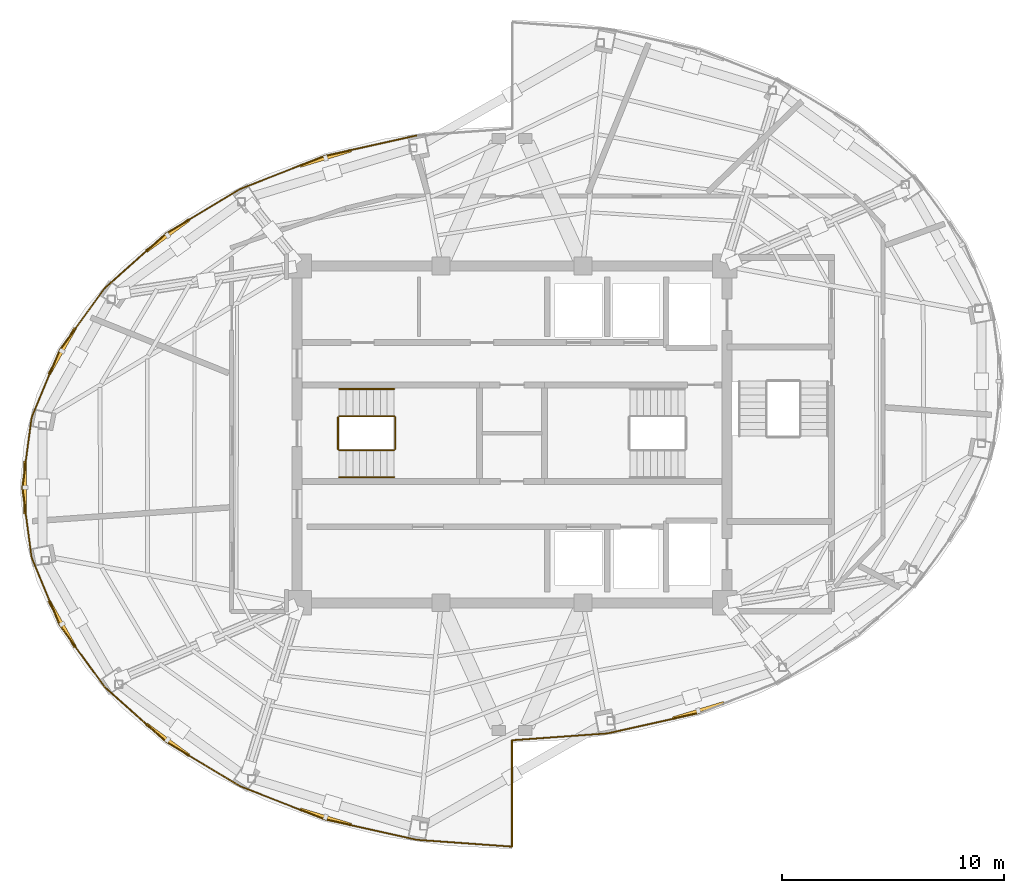
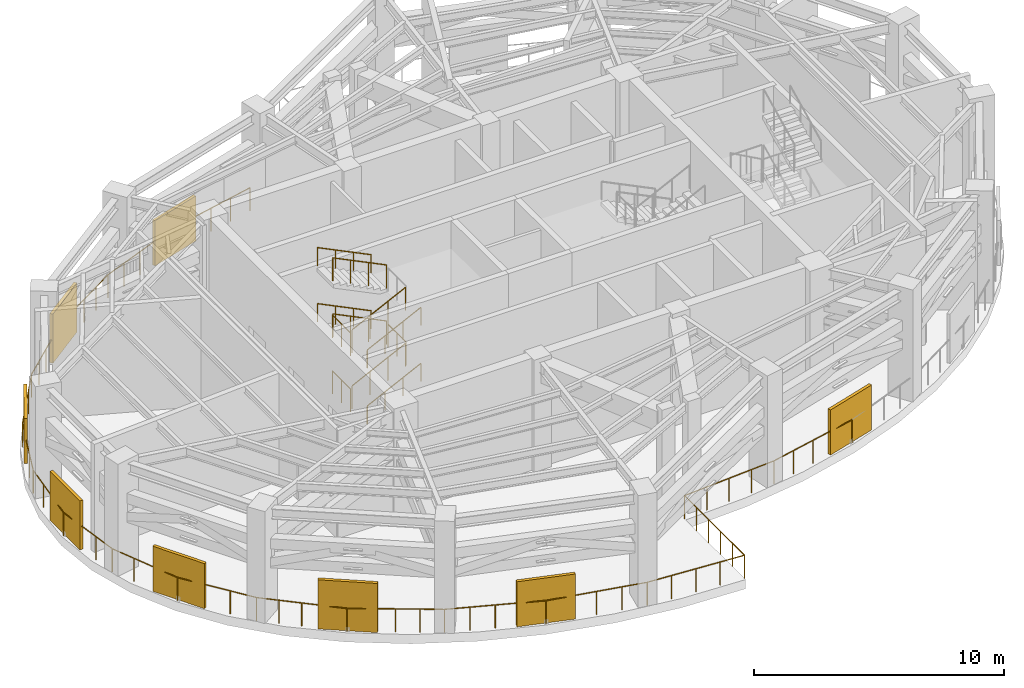
# One storey, part 10 of 12: 29 railings, 8 shading devices.
"""IFC4 building model written with IfcOpenShell, lengths in metres."""

from ifc_helpers import new_model, si_unit, direction, frame, origin, origin_2d, place, context, subcontext, project, spatial, rectangle, circle, extrude, material, type_object, element, save


model = new_model("IFC4")

# Units and contexts
model_context = context("Model", 3, precision=1e-05, world=origin(), true_north=direction((0.0, 1.0)))
body_context = subcontext(model_context, "Body", "Model", "MODEL_VIEW")
ifc_project = project(units=[si_unit("LENGTHUNIT", "METRE"), si_unit("AREAUNIT", "SQUARE_METRE"), si_unit("VOLUMEUNIT", "CUBIC_METRE"), si_unit("PLANEANGLEUNIT", "RADIAN"), si_unit("MASSUNIT", "GRAM", prefix="KILO")], contexts=[model_context])

# Site, building, storey
site_placement = place(None, origin())
site = spatial("IfcSite", under=ifc_project, at=site_placement, CompositionType="ELEMENT")
building_placement = place(site_placement, origin())
building = spatial("IfcBuilding", under=site, at=building_placement, Name="Lazwardi Medical Tower", CompositionType="ELEMENT")
storey_placement = place(building_placement, frame((0.0, 0.0, 245.904052734375)))
storey = spatial("IfcBuildingStorey", under=building, at=storey_placement, Name="L64", CompositionType="ELEMENT", Elevation=245.904052734375)

# Railings
ifc_material_1 = material(Name="Anodised bronze aluminium", Category="aluminium")
railing_type_1 = type_object("IfcRailingType", Name="RLG-BAL-1100", PredefinedType="BALUSTRADE", material=ifc_material_1)
railing_1_placement = place(storey_placement, frame((36.0, 14.199951171875, 0.0)))
element("IfcRailing", 1, at=railing_1_placement, inside=storey, type_object=railing_type_1, Name="L64 Refuge Band Perimeter Balustrade 01", PredefinedType="BALUSTRADE", context=body_context, shape_type="SweptSolid", body=[
    extrude(circle(Radius=0.02392578125, at=origin_2d()), frame((0.0, 0.0, 1.1259765625), z_axis=(0.99740393701, 0.072009627389, 0.0), x_axis=(-0.072009627389, 0.99740393701, 0.0)), (0.0, 0.0, 1.0), 4.32275390625),
    extrude(circle(Radius=0.02099609375, at=origin_2d()), origin(), (0.0, 0.0, 1.0), 1.099853515625),
    extrude(circle(Radius=0.02099609375, at=origin_2d()), frame((1.077880859375, 0.077880859375, 0.0)), (0.0, 0.0, 1.0), 1.099853515625),
    extrude(circle(Radius=0.02099609375, at=origin_2d()), frame((2.15576171875, 0.15576171875, 0.0)), (0.0, 0.0, 1.0), 1.099853515625),
    extrude(circle(Radius=0.02099609375, at=origin_2d()), frame((3.233642578125, 0.2333984375, 0.0)), (0.0, 0.0, 1.0), 1.099853515625),
    extrude(circle(Radius=0.02099609375, at=origin_2d()), frame((4.3115234375, 0.311279296875, 0.0)), (0.0, 0.0, 1.0), 1.099853515625),
])
railing_2_placement = place(storey_placement, frame((40.3115234375, 14.51123046875, 0.0)))
element("IfcRailing", 2, at=railing_2_placement, inside=storey, type_object=railing_type_1, Name="L64 Refuge Band Perimeter Balustrade 02", PredefinedType="BALUSTRADE", context=body_context, shape_type="SweptSolid", body=[
    extrude(circle(Radius=0.02392578125, at=origin_2d()), frame((0.0, 0.0, 1.1259765625), z_axis=(0.976157293921, 0.217064362632, 0.0), x_axis=(-0.217064362632, 0.976157293921, 0.0)), (0.0, 0.0, 1.0), 4.2470703125),
    extrude(circle(Radius=0.02099609375, at=origin_2d()), origin(), (0.0, 0.0, 1.0), 1.099853515625),
    extrude(circle(Radius=0.02099609375, at=origin_2d()), frame((1.036376953125, 0.23046875, 0.0)), (0.0, 0.0, 1.0), 1.099853515625),
    extrude(circle(Radius=0.02099609375, at=origin_2d()), frame((2.07275390625, 0.4609375, 0.0)), (0.0, 0.0, 1.0), 1.099853515625),
    extrude(circle(Radius=0.02099609375, at=origin_2d()), frame((3.109375, 0.69140625, 0.0)), (0.0, 0.0, 1.0), 1.099853515625),
    extrude(circle(Radius=0.02099609375, at=origin_2d()), frame((4.145751953125, 0.921875, 0.0)), (0.0, 0.0, 1.0), 1.099853515625),
])
railing_3_placement = place(storey_placement, frame((31.6884765625, 41.48876953125, 0.0)))
element("IfcRailing", 3, at=railing_3_placement, inside=storey, type_object=railing_type_1, Name="L64 Refuge Band Perimeter Balustrade 19", PredefinedType="BALUSTRADE", context=body_context, shape_type="SweptSolid", body=[
    extrude(circle(Radius=0.02392578125, at=origin_2d()), frame((0.0, 0.0, 1.1259765625), z_axis=(-0.976157293921, -0.217064362632, 0.0), x_axis=(0.217064362632, -0.976157293921, 0.0)), (0.0, 0.0, 1.0), 4.2470703125),
    extrude(circle(Radius=0.02099609375, at=origin_2d()), origin(), (0.0, 0.0, 1.0), 1.099853515625),
    extrude(circle(Radius=0.02099609375, at=origin_2d()), frame((-1.036376953125, -0.23046875, 0.0)), (0.0, 0.0, 1.0), 1.099853515625),
    extrude(circle(Radius=0.02099609375, at=origin_2d()), frame((-2.07275390625, -0.4609375, 0.0)), (0.0, 0.0, 1.0), 1.099853515625),
    extrude(circle(Radius=0.02099609375, at=origin_2d()), frame((-3.109375, -0.69140625, 0.0)), (0.0, 0.0, 1.0), 1.099853515625),
    extrude(circle(Radius=0.02099609375, at=origin_2d()), frame((-4.145751953125, -0.921875, 0.0)), (0.0, 0.0, 1.0), 1.099853515625),
])
railing_4_placement = place(storey_placement, frame((27.542724609375, 40.56689453125, 0.0)))
element("IfcRailing", 4, at=railing_4_placement, inside=storey, type_object=railing_type_1, Name="L64 Refuge Band Perimeter Balustrade 20", PredefinedType="BALUSTRADE", context=body_context, shape_type="SweptSolid", body=[
    extrude(circle(Radius=0.02392578125, at=origin_2d()), frame((0.0, 0.0, 1.1259765625), z_axis=(-0.931079419389, -0.364816549501, 0.0), x_axis=(0.364816549501, -0.931079419389, 0.0)), (0.0, 0.0, 1.0), 4.103515625),
    extrude(circle(Radius=0.02099609375, at=origin_2d()), origin(), (0.0, 0.0, 1.0), 1.099853515625),
    extrude(circle(Radius=0.02099609375, at=origin_2d()), frame((-0.955078125, -0.374267578125, 0.0)), (0.0, 0.0, 1.0), 1.099853515625),
    extrude(circle(Radius=0.02099609375, at=origin_2d()), frame((-1.910400390625, -0.74853515625, 0.0)), (0.0, 0.0, 1.0), 1.099853515625),
    extrude(circle(Radius=0.02099609375, at=origin_2d()), frame((-2.86572265625, -1.122802734375, 0.0)), (0.0, 0.0, 1.0), 1.099853515625),
    extrude(circle(Radius=0.02099609375, at=origin_2d()), frame((-3.82080078125, -1.4970703125, 0.0)), (0.0, 0.0, 1.0), 1.099853515625),
])
railing_5_placement = place(storey_placement, frame((23.721923828125, 39.06982421875, 0.0)))
element("IfcRailing", 5, at=railing_5_placement, inside=storey, type_object=railing_type_1, Name="L64 Refuge Band Perimeter Balustrade 21", PredefinedType="BALUSTRADE", context=body_context, shape_type="SweptSolid", body=[
    extrude(circle(Radius=0.02392578125, at=origin_2d()), frame((0.0, 0.0, 1.1259765625), z_axis=(-0.856908132333, -0.515469157896, 0.0), x_axis=(0.515469157896, -0.856908132333, 0.0)), (0.0, 0.0, 1.0), 3.908447265625),
    extrude(circle(Radius=0.02099609375, at=origin_2d()), origin(), (0.0, 0.0, 1.0), 1.099853515625),
    extrude(circle(Radius=0.02099609375, at=origin_2d()), frame((-0.83740234375, -0.503662109375, 0.0)), (0.0, 0.0, 1.0), 1.099853515625),
    extrude(circle(Radius=0.02099609375, at=origin_2d()), frame((-1.674560546875, -1.00732421875, 0.0)), (0.0, 0.0, 1.0), 1.099853515625),
    extrude(circle(Radius=0.02099609375, at=origin_2d()), frame((-2.51171875, -1.510986328125, 0.0)), (0.0, 0.0, 1.0), 1.099853515625),
    extrude(circle(Radius=0.02099609375, at=origin_2d()), frame((-3.34912109375, -2.0146484375, 0.0)), (0.0, 0.0, 1.0), 1.099853515625),
])
railing_6_placement = place(storey_placement, frame((20.372802734375, 37.05517578125, 0.0)))
element("IfcRailing", 6, at=railing_6_placement, inside=storey, type_object=railing_type_1, Name="L64 Refuge Band Perimeter Balustrade 22", PredefinedType="BALUSTRADE", context=body_context, shape_type="SweptSolid", body=[
    extrude(circle(Radius=0.02392578125, at=origin_2d()), frame((0.0, 0.0, 1.1259765625), z_axis=(-0.745769545874, -0.666204011131, 0.0), x_axis=(0.666204011131, -0.745769545874, 0.0)), (0.0, 0.0, 1.0), 3.68505859375),
    extrude(circle(Radius=0.02099609375, at=origin_2d()), origin(), (0.0, 0.0, 1.0), 1.099853515625),
    extrude(circle(Radius=0.02099609375, at=origin_2d()), frame((-0.68701171875, -0.61376953125, 0.0)), (0.0, 0.0, 1.0), 1.099853515625),
    extrude(circle(Radius=0.02099609375, at=origin_2d()), frame((-1.3740234375, -1.2275390625, 0.0)), (0.0, 0.0, 1.0), 1.099853515625),
    extrude(circle(Radius=0.02099609375, at=origin_2d()), frame((-2.061279296875, -1.84130859375, 0.0)), (0.0, 0.0, 1.0), 1.099853515625),
    extrude(circle(Radius=0.02099609375, at=origin_2d()), frame((-2.748291015625, -2.455078125, 0.0)), (0.0, 0.0, 1.0), 1.099853515625),
])
railing_7_placement = place(storey_placement, frame((17.62451171875, 34.60009765625, 0.0)))
element("IfcRailing", 7, at=railing_7_placement, inside=storey, type_object=railing_type_1, Name="L64 Refuge Band Perimeter Balustrade 23", PredefinedType="BALUSTRADE", context=body_context, shape_type="SweptSolid", body=[
    extrude(circle(Radius=0.02392578125, at=origin_2d()), frame((0.0, 0.0, 1.1259765625), z_axis=(-0.589205688877, -0.807983079152, 0.0), x_axis=(0.807983079152, -0.589205688877, 0.0)), (0.0, 0.0, 1.0), 3.466064453125),
    extrude(circle(Radius=0.02099609375, at=origin_2d()), origin(), (0.0, 0.0, 1.0), 1.099853515625),
    extrude(circle(Radius=0.02099609375, at=origin_2d()), frame((-0.6806640625, -0.93359375, 0.0)), (0.0, 0.0, 1.0), 1.099853515625),
    extrude(circle(Radius=0.02099609375, at=origin_2d()), frame((-1.361572265625, -1.866943359375, 0.0)), (0.0, 0.0, 1.0), 1.099853515625),
    extrude(circle(Radius=0.02099609375, at=origin_2d()), frame((-2.042236328125, -2.800537109375, 0.0)), (0.0, 0.0, 1.0), 1.099853515625),
])
railing_8_placement = place(storey_placement, frame((15.582275390625, 31.799560546875, 0.0)))
element("IfcRailing", 8, at=railing_8_placement, inside=storey, type_object=railing_type_1, Name="L64 Refuge Band Perimeter Balustrade 24", PredefinedType="BALUSTRADE", context=body_context, shape_type="SweptSolid", body=[
    extrude(circle(Radius=0.02392578125, at=origin_2d()), frame((0.0, 0.0, 1.1259765625), z_axis=(-0.382358349065, -0.924014119427, 0.0), x_axis=(0.924014119427, -0.382358349065, 0.0)), (0.0, 0.0, 1.0), 3.2890625),
    extrude(circle(Radius=0.02099609375, at=origin_2d()), origin(), (0.0, 0.0, 1.0), 1.099853515625),
    extrude(circle(Radius=0.02099609375, at=origin_2d()), frame((-0.419189453125, -1.012939453125, 0.0)), (0.0, 0.0, 1.0), 1.099853515625),
    extrude(circle(Radius=0.02099609375, at=origin_2d()), frame((-0.83837890625, -2.026123046875, 0.0)), (0.0, 0.0, 1.0), 1.099853515625),
    extrude(circle(Radius=0.02099609375, at=origin_2d()), frame((-1.257568359375, -3.0390625, 0.0)), (0.0, 0.0, 1.0), 1.099853515625),
])
railing_9_placement = place(storey_placement, frame((14.32470703125, 28.760498046875, 0.0)))
element("IfcRailing", 9, at=railing_9_placement, inside=storey, type_object=railing_type_1, Name="L64 Refuge Band Perimeter Balustrade 25", PredefinedType="BALUSTRADE", context=body_context, shape_type="SweptSolid", body=[
    extrude(circle(Radius=0.02392578125, at=origin_2d()), frame((0.0, 0.0, 1.1259765625), z_axis=(-0.133216782233, -0.991086922995, 0.0), x_axis=(0.991086922995, -0.133216782233, 0.0)), (0.0, 0.0, 1.0), 3.188720703125),
    extrude(circle(Radius=0.02099609375, at=origin_2d()), origin(), (0.0, 0.0, 1.0), 1.099853515625),
    extrude(circle(Radius=0.02099609375, at=origin_2d()), frame((-0.1416015625, -1.053466796875, 0.0)), (0.0, 0.0, 1.0), 1.099853515625),
    extrude(circle(Radius=0.02099609375, at=origin_2d()), frame((-0.283203125, -2.10693359375, 0.0)), (0.0, 0.0, 1.0), 1.099853515625),
    extrude(circle(Radius=0.02099609375, at=origin_2d()), frame((-0.4248046875, -3.160400390625, 0.0)), (0.0, 0.0, 1.0), 1.099853515625),
])
railing_10_placement = place(storey_placement, frame((13.89990234375, 25.60009765625, 0.0)))
element("IfcRailing", 10, at=railing_10_placement, inside=storey, type_object=railing_type_1, Name="L64 Refuge Band Perimeter Balustrade 26", PredefinedType="BALUSTRADE", context=body_context, shape_type="SweptSolid", body=[
    extrude(circle(Radius=0.02392578125, at=origin_2d()), frame((0.0, 0.0, 1.1259765625), z_axis=(0.133206674641, -0.991088281553, 0.0), x_axis=(0.991088281553, 0.133206674641, 0.0)), (0.0, 0.0, 1.0), 3.18896484375),
    extrude(circle(Radius=0.02099609375, at=origin_2d()), origin(), (0.0, 0.0, 1.0), 1.099853515625),
    extrude(circle(Radius=0.02099609375, at=origin_2d()), frame((0.1416015625, -1.053466796875, 0.0)), (0.0, 0.0, 1.0), 1.099853515625),
    extrude(circle(Radius=0.02099609375, at=origin_2d()), frame((0.283203125, -2.107177734375, 0.0)), (0.0, 0.0, 1.0), 1.099853515625),
    extrude(circle(Radius=0.02099609375, at=origin_2d()), frame((0.4248046875, -3.16064453125, 0.0)), (0.0, 0.0, 1.0), 1.099853515625),
])
railing_11_placement = place(storey_placement, frame((14.32470703125, 22.439453125, 0.0)))
element("IfcRailing", 11, at=railing_11_placement, inside=storey, type_object=railing_type_1, Name="L64 Refuge Band Perimeter Balustrade 27", PredefinedType="BALUSTRADE", context=body_context, shape_type="SweptSolid", body=[
    extrude(circle(Radius=0.02392578125, at=origin_2d()), frame((0.0, 0.0, 1.1259765625), z_axis=(0.382358349065, -0.924014119427, 0.0), x_axis=(0.924014119427, 0.382358349065, 0.0)), (0.0, 0.0, 1.0), 3.2890625),
    extrude(circle(Radius=0.02099609375, at=origin_2d()), origin(), (0.0, 0.0, 1.0), 1.099853515625),
    extrude(circle(Radius=0.02099609375, at=origin_2d()), frame((0.419189453125, -1.012939453125, 0.0)), (0.0, 0.0, 1.0), 1.099853515625),
    extrude(circle(Radius=0.02099609375, at=origin_2d()), frame((0.83837890625, -2.026123046875, 0.0)), (0.0, 0.0, 1.0), 1.099853515625),
    extrude(circle(Radius=0.02099609375, at=origin_2d()), frame((1.257568359375, -3.0390625, 0.0)), (0.0, 0.0, 1.0), 1.099853515625),
])
railing_12_placement = place(storey_placement, frame((15.582275390625, 19.400390625, 0.0)))
element("IfcRailing", 12, at=railing_12_placement, inside=storey, type_object=railing_type_1, Name="L64 Refuge Band Perimeter Balustrade 28", PredefinedType="BALUSTRADE", context=body_context, shape_type="SweptSolid", body=[
    extrude(circle(Radius=0.02392578125, at=origin_2d()), frame((0.0, 0.0, 1.1259765625), z_axis=(0.589205688877, -0.807983079152, 0.0), x_axis=(0.807983079152, 0.589205688877, 0.0)), (0.0, 0.0, 1.0), 3.466064453125),
    extrude(circle(Radius=0.02099609375, at=origin_2d()), origin(), (0.0, 0.0, 1.0), 1.099853515625),
    extrude(circle(Radius=0.02099609375, at=origin_2d()), frame((0.6806640625, -0.93359375, 0.0)), (0.0, 0.0, 1.0), 1.099853515625),
    extrude(circle(Radius=0.02099609375, at=origin_2d()), frame((1.361572265625, -1.866943359375, 0.0)), (0.0, 0.0, 1.0), 1.099853515625),
    extrude(circle(Radius=0.02099609375, at=origin_2d()), frame((2.042236328125, -2.800537109375, 0.0)), (0.0, 0.0, 1.0), 1.099853515625),
])
railing_13_placement = place(storey_placement, frame((17.62451171875, 16.599853515625, 0.0)))
element("IfcRailing", 13, at=railing_13_placement, inside=storey, type_object=railing_type_1, Name="L64 Refuge Band Perimeter Balustrade 29", PredefinedType="BALUSTRADE", context=body_context, shape_type="SweptSolid", body=[
    extrude(circle(Radius=0.02392578125, at=origin_2d()), frame((0.0, 0.0, 1.1259765625), z_axis=(0.745802461417, -0.666167162614, 0.0), x_axis=(0.666167162614, 0.745802461417, 0.0)), (0.0, 0.0, 1.0), 3.68505859375),
    extrude(circle(Radius=0.02099609375, at=origin_2d()), origin(), (0.0, 0.0, 1.0), 1.099853515625),
    extrude(circle(Radius=0.02099609375, at=origin_2d()), frame((0.68701171875, -0.61376953125, 0.0)), (0.0, 0.0, 1.0), 1.099853515625),
    extrude(circle(Radius=0.02099609375, at=origin_2d()), frame((1.3740234375, -1.2275390625, 0.0)), (0.0, 0.0, 1.0), 1.099853515625),
    extrude(circle(Radius=0.02099609375, at=origin_2d()), frame((2.061279296875, -1.841064453125, 0.0)), (0.0, 0.0, 1.0), 1.099853515625),
    extrude(circle(Radius=0.02099609375, at=origin_2d()), frame((2.748291015625, -2.454833984375, 0.0)), (0.0, 0.0, 1.0), 1.099853515625),
])
railing_14_placement = place(storey_placement, frame((20.372802734375, 14.14501953125, 0.0)))
element("IfcRailing", 14, at=railing_14_placement, inside=storey, type_object=railing_type_1, Name="L64 Refuge Band Perimeter Balustrade 30", PredefinedType="BALUSTRADE", context=body_context, shape_type="SweptSolid", body=[
    extrude(circle(Radius=0.02392578125, at=origin_2d()), frame((0.0, 0.0, 1.1259765625), z_axis=(0.85688054017, -0.515515023912, 0.0), x_axis=(0.515515023912, 0.85688054017, 0.0)), (0.0, 0.0, 1.0), 3.908447265625),
    extrude(circle(Radius=0.02099609375, at=origin_2d()), origin(), (0.0, 0.0, 1.0), 1.099853515625),
    extrude(circle(Radius=0.02099609375, at=origin_2d()), frame((0.83740234375, -0.503662109375, 0.0)), (0.0, 0.0, 1.0), 1.099853515625),
    extrude(circle(Radius=0.02099609375, at=origin_2d()), frame((1.674560546875, -1.00732421875, 0.0)), (0.0, 0.0, 1.0), 1.099853515625),
    extrude(circle(Radius=0.02099609375, at=origin_2d()), frame((2.51171875, -1.51123046875, 0.0)), (0.0, 0.0, 1.0), 1.099853515625),
    extrude(circle(Radius=0.02099609375, at=origin_2d()), frame((3.34912109375, -2.014892578125, 0.0)), (0.0, 0.0, 1.0), 1.099853515625),
])
railing_15_placement = place(storey_placement, frame((23.721923828125, 12.130126953125, 0.0)))
element("IfcRailing", 15, at=railing_15_placement, inside=storey, type_object=railing_type_1, Name="L64 Refuge Band Perimeter Balustrade 31", PredefinedType="BALUSTRADE", context=body_context, shape_type="SweptSolid", body=[
    extrude(circle(Radius=0.02392578125, at=origin_2d()), frame((0.0, 0.0, 1.1259765625), z_axis=(0.931099626879, -0.364764972038, 0.0), x_axis=(0.364764972038, 0.931099626879, 0.0)), (0.0, 0.0, 1.0), 4.103515625),
    extrude(circle(Radius=0.02099609375, at=origin_2d()), origin(), (0.0, 0.0, 1.0), 1.099853515625),
    extrude(circle(Radius=0.02099609375, at=origin_2d()), frame((0.955078125, -0.374267578125, 0.0)), (0.0, 0.0, 1.0), 1.099853515625),
    extrude(circle(Radius=0.02099609375, at=origin_2d()), frame((1.910400390625, -0.74853515625, 0.0)), (0.0, 0.0, 1.0), 1.099853515625),
    extrude(circle(Radius=0.02099609375, at=origin_2d()), frame((2.86572265625, -1.12255859375, 0.0)), (0.0, 0.0, 1.0), 1.099853515625),
    extrude(circle(Radius=0.02099609375, at=origin_2d()), frame((3.82080078125, -1.496826171875, 0.0)), (0.0, 0.0, 1.0), 1.099853515625),
])
railing_16_placement = place(storey_placement, frame((27.542724609375, 10.63330078125, 0.0)))
element("IfcRailing", 16, at=railing_16_placement, inside=storey, type_object=railing_type_1, Name="L64 Refuge Band Perimeter Balustrade 32", PredefinedType="BALUSTRADE", context=body_context, shape_type="SweptSolid", body=[
    extrude(circle(Radius=0.02392578125, at=origin_2d()), frame((0.0, 0.0, 1.1259765625), z_axis=(0.976145112043, -0.217119138342, 0.0), x_axis=(0.217119138342, 0.976145112043, 0.0)), (0.0, 0.0, 1.0), 4.2470703125),
    extrude(circle(Radius=0.02099609375, at=origin_2d()), origin(), (0.0, 0.0, 1.0), 1.099853515625),
    extrude(circle(Radius=0.02099609375, at=origin_2d()), frame((1.036376953125, -0.23046875, 0.0)), (0.0, 0.0, 1.0), 1.099853515625),
    extrude(circle(Radius=0.02099609375, at=origin_2d()), frame((2.07275390625, -0.4609375, 0.0)), (0.0, 0.0, 1.0), 1.099853515625),
    extrude(circle(Radius=0.02099609375, at=origin_2d()), frame((3.109375, -0.691650390625, 0.0)), (0.0, 0.0, 1.0), 1.099853515625),
    extrude(circle(Radius=0.02099609375, at=origin_2d()), frame((4.145751953125, -0.922119140625, 0.0)), (0.0, 0.0, 1.0), 1.099853515625),
])
railing_17_placement = place(storey_placement, frame((31.6884765625, 9.711181640625, 0.0)))
element("IfcRailing", 17, at=railing_17_placement, inside=storey, type_object=railing_type_1, Name="L64 Refuge Band Perimeter Balustrade 33", PredefinedType="BALUSTRADE", context=body_context, shape_type="SweptSolid", body=[
    extrude(circle(Radius=0.02392578125, at=origin_2d()), frame((0.0, 0.0, 1.1259765625), z_axis=(0.99740393701, -0.072009627389, 0.0), x_axis=(0.072009627389, 0.99740393701, 0.0)), (0.0, 0.0, 1.0), 4.32275390625),
    extrude(circle(Radius=0.02099609375, at=origin_2d()), origin(), (0.0, 0.0, 1.0), 1.099853515625),
    extrude(circle(Radius=0.02099609375, at=origin_2d()), frame((1.077880859375, -0.077880859375, 0.0)), (0.0, 0.0, 1.0), 1.099853515625),
    extrude(circle(Radius=0.02099609375, at=origin_2d()), frame((2.15576171875, -0.15576171875, 0.0)), (0.0, 0.0, 1.0), 1.099853515625),
    extrude(circle(Radius=0.02099609375, at=origin_2d()), frame((3.233642578125, -0.2333984375, 0.0)), (0.0, 0.0, 1.0), 1.099853515625),
    extrude(circle(Radius=0.02099609375, at=origin_2d()), frame((4.3115234375, -0.311279296875, 0.0)), (0.0, 0.0, 1.0), 1.099853515625),
])
railing_18_placement = place(storey_placement, frame((36.0, 9.39990234375, 0.0)))
element("IfcRailing", 18, at=railing_18_placement, inside=storey, type_object=railing_type_1, Name="L64 Refuge Band Perimeter Balustrade 34", PredefinedType="BALUSTRADE", context=body_context, shape_type="SweptSolid", body=[
    extrude(circle(Radius=0.02392578125, at=origin_2d()), frame((0.0, 0.0, 1.1259765625), z_axis=(0.0, 1.0, 0.0), x_axis=(-1.0, 0.0, 0.0)), (0.0, 0.0, 1.0), 4.800048828125),
    extrude(circle(Radius=0.02099609375, at=origin_2d()), origin(), (0.0, 0.0, 1.0), 1.099853515625),
    extrude(circle(Radius=0.02099609375, at=origin_2d()), frame((0.0, 0.9599609375, 0.0)), (0.0, 0.0, 1.0), 1.099853515625),
    extrude(circle(Radius=0.02099609375, at=origin_2d()), frame((0.0, 1.919921875, 0.0)), (0.0, 0.0, 1.0), 1.099853515625),
    extrude(circle(Radius=0.02099609375, at=origin_2d()), frame((0.0, 2.880126953125, 0.0)), (0.0, 0.0, 1.0), 1.099853515625),
    extrude(circle(Radius=0.02099609375, at=origin_2d()), frame((0.0, 3.840087890625, 0.0)), (0.0, 0.0, 1.0), 1.099853515625),
    extrude(circle(Radius=0.02099609375, at=origin_2d()), frame((0.0, 4.800048828125, 0.0)), (0.0, 0.0, 1.0), 1.099853515625),
])
ifc_material_2 = material(Name="Stainless steel Grade 316", Category="steel")
railing_type_2 = type_object("IfcRailingType", Name="RLG-GRD-1150", PredefinedType="GUARDRAIL", material=ifc_material_2)
railing_19_placement = place(storey_placement, frame((28.199951171875, 27.2900390625, 0.15185546875)))
element("IfcRailing", 19, at=railing_19_placement, inside=storey, type_object=railing_type_2, Name="L64 ST1 stair guard 1", PredefinedType="GUARDRAIL", context=body_context, shape_type="SweptSolid", body=[
    extrude(circle(Radius=0.02392578125, at=origin_2d()), frame((0.0, 0.0, 1.1259765625), z_axis=(0.897865232124, 0.0, 0.440270399804), x_axis=(0.0, 1.0, 0.0)), (0.0, 0.0, 1.0), 2.76220703125),
    extrude(circle(Radius=0.02099609375, at=origin_2d()), origin(), (0.0, 0.0, 1.0), 1.099853515625),
    extrude(circle(Radius=0.02099609375, at=origin_2d()), frame((0.82666015625, 0.0, 0.4052734375)), (0.0, 0.0, 1.0), 1.099853515625),
    extrude(circle(Radius=0.02099609375, at=origin_2d()), frame((1.6533203125, 0.0, 0.810791015625)), (0.0, 0.0, 1.0), 1.099853515625),
    extrude(circle(Radius=0.02099609375, at=origin_2d()), frame((2.47998046875, 0.0, 1.216064453125)), (0.0, 0.0, 1.0), 1.099853515625),
])
railing_20_placement = place(storey_placement, frame((30.72998046875, 27.340087890625, 1.367919921875)))
element("IfcRailing", 20, at=railing_20_placement, inside=storey, type_object=railing_type_2, Name="L64 ST1 stair guard 2", PredefinedType="GUARDRAIL", context=body_context, shape_type="SweptSolid", body=[
    extrude(circle(Radius=0.02392578125, at=origin_2d()), frame((0.0, 0.0, 1.1259765625), z_axis=(0.0, 1.0, 0.0), x_axis=(-1.0, 0.0, 0.0)), (0.0, 0.0, 1.0), 1.43994140625),
    extrude(circle(Radius=0.02099609375, at=origin_2d()), origin(), (0.0, 0.0, 1.0), 1.099853515625),
    extrude(circle(Radius=0.02099609375, at=origin_2d()), frame((0.0, 0.719970703125, 0.0)), (0.0, 0.0, 1.0), 1.099853515625),
    extrude(circle(Radius=0.02099609375, at=origin_2d()), frame((0.0, 1.43994140625, 0.0)), (0.0, 0.0, 1.0), 1.099853515625),
])
railing_21_placement = place(storey_placement, frame((30.679931640625, 28.830078125, 1.52001953125)))
element("IfcRailing", 21, at=railing_21_placement, inside=storey, type_object=railing_type_2, Name="L64 ST1 stair guard 3", PredefinedType="GUARDRAIL", context=body_context, shape_type="SweptSolid", body=[
    extrude(circle(Radius=0.02392578125, at=origin_2d()), frame((0.0, 0.0, 1.1259765625), z_axis=(-0.897900171516, 0.0, 0.440199139018), x_axis=(0.0, -1.0, 0.0)), (0.0, 0.0, 1.0), 2.761962890625),
    extrude(circle(Radius=0.02099609375, at=origin_2d()), origin(), (0.0, 0.0, 1.0), 1.099853515625),
    extrude(circle(Radius=0.02099609375, at=origin_2d()), frame((-0.82666015625, 0.0, 0.4052734375)), (0.0, 0.0, 1.0), 1.099853515625),
    extrude(circle(Radius=0.02099609375, at=origin_2d()), frame((-1.6533203125, 0.0, 0.810546875)), (0.0, 0.0, 1.0), 1.099853515625),
    extrude(circle(Radius=0.02099609375, at=origin_2d()), frame((-2.47998046875, 0.0, 1.2158203125)), (0.0, 0.0, 1.0), 1.099853515625),
])
railing_22_placement = place(storey_placement, frame((28.14990234375, 27.340087890625, 2.73583984375)))
element("IfcRailing", 22, at=railing_22_placement, inside=storey, type_object=railing_type_2, Name="L64 ST1 stair guard 4", PredefinedType="GUARDRAIL", context=body_context, shape_type="SweptSolid", body=[
    extrude(circle(Radius=0.02392578125, at=origin_2d()), frame((0.0, 0.0, 1.1259765625), z_axis=(0.0, 1.0, 0.0), x_axis=(-1.0, 0.0, 0.0)), (0.0, 0.0, 1.0), 1.43994140625),
    extrude(circle(Radius=0.02099609375, at=origin_2d()), origin(), (0.0, 0.0, 1.0), 1.099853515625),
    extrude(circle(Radius=0.02099609375, at=origin_2d()), frame((0.0, 0.719970703125, 0.0)), (0.0, 0.0, 1.0), 1.099853515625),
    extrude(circle(Radius=0.02099609375, at=origin_2d()), frame((0.0, 1.43994140625, 0.0)), (0.0, 0.0, 1.0), 1.099853515625),
])
railing_23_placement = place(storey_placement, frame((28.199951171875, 27.2900390625, 2.887939453125)))
element("IfcRailing", 23, at=railing_23_placement, inside=storey, type_object=railing_type_2, Name="L64 ST1 stair guard 5", PredefinedType="GUARDRAIL", context=body_context, shape_type="SweptSolid", body=[
    extrude(circle(Radius=0.02392578125, at=origin_2d()), frame((0.0, 0.0, 1.1259765625), z_axis=(0.897865232124, 0.0, 0.440270399804), x_axis=(0.0, 1.0, 0.0)), (0.0, 0.0, 1.0), 2.76220703125),
    extrude(circle(Radius=0.02099609375, at=origin_2d()), origin(), (0.0, 0.0, 1.0), 1.099853515625),
    extrude(circle(Radius=0.02099609375, at=origin_2d()), frame((0.82666015625, 0.0, 0.4052734375)), (0.0, 0.0, 1.0), 1.099853515625),
    extrude(circle(Radius=0.02099609375, at=origin_2d()), frame((1.6533203125, 0.0, 0.810791015625)), (0.0, 0.0, 1.0), 1.099853515625),
    extrude(circle(Radius=0.02099609375, at=origin_2d()), frame((2.47998046875, 0.0, 1.216064453125)), (0.0, 0.0, 1.0), 1.099853515625),
])
railing_24_placement = place(storey_placement, frame((30.679931640625, 28.830078125, 4.255859375)))
element("IfcRailing", 24, at=railing_24_placement, inside=storey, type_object=railing_type_2, Name="L64 ST1 stair guard 7", PredefinedType="GUARDRAIL", context=body_context, shape_type="SweptSolid", body=[
    extrude(circle(Radius=0.02392578125, at=origin_2d()), frame((0.0, 0.0, 1.1259765625), z_axis=(-0.897865232124, 0.0, 0.440270399804), x_axis=(0.0, -1.0, 0.0)), (0.0, 0.0, 1.0), 2.76220703125),
    extrude(circle(Radius=0.02099609375, at=origin_2d()), origin(), (0.0, 0.0, 1.0), 1.099853515625),
    extrude(circle(Radius=0.02099609375, at=origin_2d()), frame((-0.82666015625, 0.0, 0.4052734375)), (0.0, 0.0, 1.0), 1.099853515625),
    extrude(circle(Radius=0.02099609375, at=origin_2d()), frame((-1.6533203125, 0.0, 0.810791015625)), (0.0, 0.0, 1.0), 1.099853515625),
    extrude(circle(Radius=0.02099609375, at=origin_2d()), frame((-2.47998046875, 0.0, 1.216064453125)), (0.0, 0.0, 1.0), 1.099853515625),
])
railing_25_placement = place(storey_placement, frame((28.14990234375, 27.340087890625, 0.0)))
element("IfcRailing", 25, at=railing_25_placement, inside=storey, type_object=railing_type_2, Name="L64 ST1 stair guard 8", PredefinedType="GUARDRAIL", context=body_context, shape_type="SweptSolid", body=[
    extrude(circle(Radius=0.02392578125, at=origin_2d()), frame((0.0, 0.0, 1.1259765625), z_axis=(0.0, 1.0, 0.0), x_axis=(-1.0, 0.0, 0.0)), (0.0, 0.0, 1.0), 1.43994140625),
    extrude(circle(Radius=0.02099609375, at=origin_2d()), origin(), (0.0, 0.0, 1.0), 1.099853515625),
    extrude(circle(Radius=0.02099609375, at=origin_2d()), frame((0.0, 0.719970703125, 0.0)), (0.0, 0.0, 1.0), 1.099853515625),
    extrude(circle(Radius=0.02099609375, at=origin_2d()), frame((0.0, 1.43994140625, 0.0)), (0.0, 0.0, 1.0), 1.099853515625),
])
railing_type_3 = type_object("IfcRailingType", Name="RLG-HND-920", PredefinedType="HANDRAIL", material=ifc_material_2)
railing_26_placement = place(storey_placement, frame((28.199951171875, 26.070068359375, 0.15185546875)))
element("IfcRailing", 26, at=railing_26_placement, inside=storey, type_object=railing_type_3, Name="L64 ST1 stair handrail 1", PredefinedType="HANDRAIL", context=body_context, shape_type="SweptSolid", body=[
    extrude(circle(Radius=0.02392578125, at=origin_2d()), frame((0.0, 0.0, 0.8857421875), z_axis=(0.897865232124, 0.0, 0.440270399804), x_axis=(0.0, 1.0, 0.0)), (0.0, 0.0, 1.0), 2.76220703125),
    extrude(circle(Radius=0.02099609375, at=origin_2d()), origin(), (0.0, 0.0, 1.0), 0.85986328125),
    extrude(circle(Radius=0.02099609375, at=origin_2d()), frame((0.82666015625, 0.0, 0.4052734375)), (0.0, 0.0, 1.0), 0.85986328125),
    extrude(circle(Radius=0.02099609375, at=origin_2d()), frame((1.6533203125, 0.0, 0.810791015625)), (0.0, 0.0, 1.0), 0.85986328125),
    extrude(circle(Radius=0.02099609375, at=origin_2d()), frame((2.47998046875, 0.0, 1.216064453125)), (0.0, 0.0, 1.0), 0.85986328125),
])
railing_27_placement = place(storey_placement, frame((30.679931640625, 30.050048828125, 1.52001953125)))
element("IfcRailing", 27, at=railing_27_placement, inside=storey, type_object=railing_type_3, Name="L64 ST1 stair handrail 2", PredefinedType="HANDRAIL", context=body_context, shape_type="SweptSolid", body=[
    extrude(circle(Radius=0.02392578125, at=origin_2d()), frame((0.0, 0.0, 0.8857421875), z_axis=(-0.897900171516, 0.0, 0.440199139018), x_axis=(0.0, -1.0, 0.0)), (0.0, 0.0, 1.0), 2.761962890625),
    extrude(circle(Radius=0.02099609375, at=origin_2d()), origin(), (0.0, 0.0, 1.0), 0.85986328125),
    extrude(circle(Radius=0.02099609375, at=origin_2d()), frame((-0.82666015625, 0.0, 0.4052734375)), (0.0, 0.0, 1.0), 0.85986328125),
    extrude(circle(Radius=0.02099609375, at=origin_2d()), frame((-1.6533203125, 0.0, 0.810546875)), (0.0, 0.0, 1.0), 0.85986328125),
    extrude(circle(Radius=0.02099609375, at=origin_2d()), frame((-2.47998046875, 0.0, 1.2158203125)), (0.0, 0.0, 1.0), 0.85986328125),
])
railing_28_placement = place(storey_placement, frame((28.199951171875, 26.070068359375, 2.887939453125)))
element("IfcRailing", 28, at=railing_28_placement, inside=storey, type_object=railing_type_3, Name="L64 ST1 stair handrail 3", PredefinedType="HANDRAIL", context=body_context, shape_type="SweptSolid", body=[
    extrude(circle(Radius=0.02392578125, at=origin_2d()), frame((0.0, 0.0, 0.8857421875), z_axis=(0.897865232124, 0.0, 0.440270399804), x_axis=(0.0, 1.0, 0.0)), (0.0, 0.0, 1.0), 2.76220703125),
    extrude(circle(Radius=0.02099609375, at=origin_2d()), origin(), (0.0, 0.0, 1.0), 0.85986328125),
    extrude(circle(Radius=0.02099609375, at=origin_2d()), frame((0.82666015625, 0.0, 0.4052734375)), (0.0, 0.0, 1.0), 0.85986328125),
    extrude(circle(Radius=0.02099609375, at=origin_2d()), frame((1.6533203125, 0.0, 0.810791015625)), (0.0, 0.0, 1.0), 0.85986328125),
    extrude(circle(Radius=0.02099609375, at=origin_2d()), frame((2.47998046875, 0.0, 1.216064453125)), (0.0, 0.0, 1.0), 0.85986328125),
])
railing_29_placement = place(storey_placement, frame((30.679931640625, 30.050048828125, 4.255859375)))
element("IfcRailing", 29, at=railing_29_placement, inside=storey, type_object=railing_type_3, Name="L64 ST1 stair handrail 4", PredefinedType="HANDRAIL", context=body_context, shape_type="SweptSolid", body=[
    extrude(circle(Radius=0.02392578125, at=origin_2d()), frame((0.0, 0.0, 0.8857421875), z_axis=(-0.897865232124, 0.0, 0.440270399804), x_axis=(0.0, -1.0, 0.0)), (0.0, 0.0, 1.0), 2.76220703125),
    extrude(circle(Radius=0.02099609375, at=origin_2d()), origin(), (0.0, 0.0, 1.0), 0.85986328125),
    extrude(circle(Radius=0.02099609375, at=origin_2d()), frame((-0.82666015625, 0.0, 0.4052734375)), (0.0, 0.0, 1.0), 0.85986328125),
    extrude(circle(Radius=0.02099609375, at=origin_2d()), frame((-1.6533203125, 0.0, 0.810791015625)), (0.0, 0.0, 1.0), 0.85986328125),
    extrude(circle(Radius=0.02099609375, at=origin_2d()), frame((-2.47998046875, 0.0, 1.216064453125)), (0.0, 0.0, 1.0), 0.85986328125),
])

# Shading devices
ifc_material_3 = material(Name="Anodised bronze aluminium storm louvre", Category="aluminium")
shading_device_type_1 = type_object("IfcShadingDeviceType", Name="SHD-LVR-01", PredefinedType="JALOUSIE", material=ifc_material_3)
for number, where, z_axis, x_axis, name in (
    (30, (44.408203125, 15.534423828125, 0.0), (0.0, 0.0, 1.0), (0.956938815792, 0.290289687778, 0.0), "L64 Tropical Storm Louvre 01"),
    (31, (27.591796875, 40.465576171875, 0.0), (0.0, 0.0, 1.0), (-0.956938815792, -0.290289687778, 0.0), "L64 Tropical Storm Louvre 09"),
    (32, (15.700439453125, 31.75732421875, 0.0), (0.0, 0.0, 1.0), (-0.492324818213, -0.87041155402, 0.0), "L64 Tropical Storm Louvre 11"),
    (33, (15.700439453125, 19.442626953125, 0.0), (0.0, 0.0, 1.0), (0.492324818213, -0.87041155402, 0.0), "L64 Tropical Storm Louvre 13"),
    (34, (27.591796875, 10.734619140625, 0.0), (0.0, 0.0, 1.0), (0.956938815792, -0.290289687778, 0.0), "L64 Tropical Storm Louvre 15"),
):
    element("IfcShadingDevice", number, at=place(storey_placement, frame(where, z_axis=z_axis, x_axis=x_axis)), inside=storey, type_object=shading_device_type_1, Name=name, PredefinedType="JALOUSIE", context=body_context, shape_type="SweptSolid", body=[
        extrude(rectangle(XDim=2.39990234375, YDim=0.139892578125, at=origin_2d()), origin(), (0.0, 0.0, 1.0), 2.199951171875),
    ])
ifc_material_4 = material(Name="Perforated bronze girih solar screen", Category="aluminium")
shading_device_type_2 = type_object("IfcShadingDeviceType", Name="SHD-SCR-01", PredefinedType="USERDEFINED", material=ifc_material_4)
for number, where, z_axis, x_axis, name in (
    (35, (20.46337890625, 36.9775390625, 0.0), (0.0, 0.0, 1.0), (-0.806793290072, -0.590833806662, 0.0), "L64 Bronze Girih Solar Screen 10"),
    (36, (14.02783203125, 25.60009765625, 0.0), (0.0, 0.0, 1.0), (0.0, -1.0, 0.0), "L64 Bronze Girih Solar Screen 12"),
    (37, (20.46337890625, 14.222412109375, 0.0), (0.0, 0.0, 1.0), (0.806793290072, -0.590833806662, 0.0), "L64 Bronze Girih Solar Screen 14"),
):
    element("IfcShadingDevice", number, at=place(storey_placement, frame(where, z_axis=z_axis, x_axis=x_axis)), inside=storey, type_object=shading_device_type_2, Name=name, ObjectType="SCREEN", PredefinedType="USERDEFINED", context=body_context, shape_type="SweptSolid", body=[
        extrude(rectangle(XDim=2.39990234375, YDim=0.139892578125, at=origin_2d()), origin(), (0.0, 0.0, 1.0), 2.39990234375),
    ])

save(model, "model.ifc")
